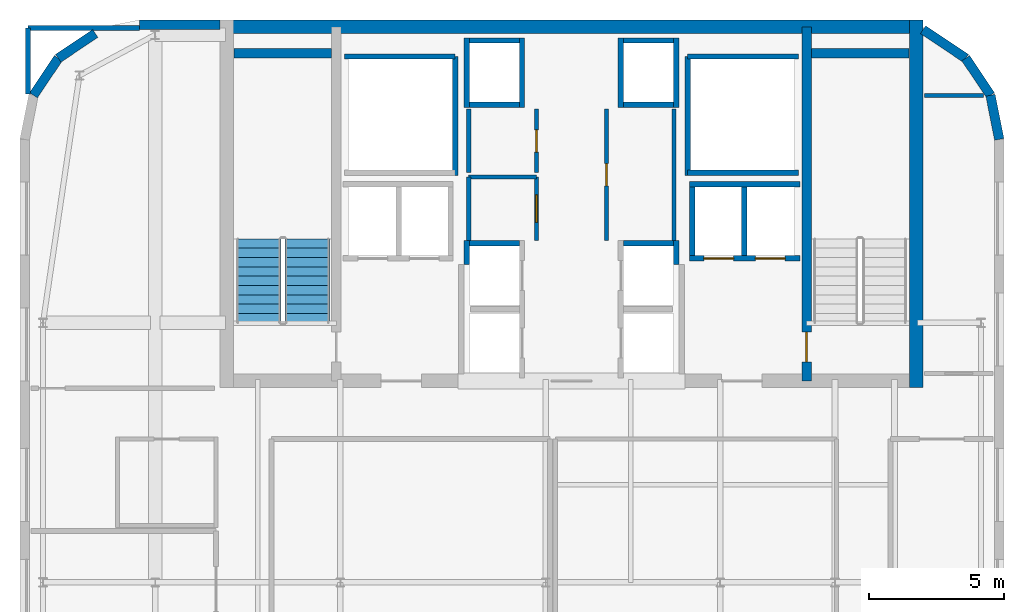
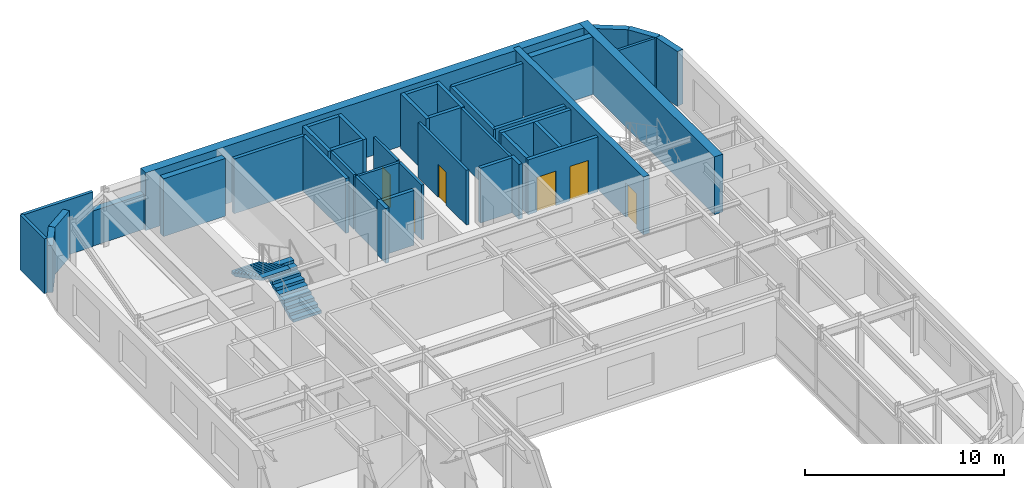
# One storey, part 16 of 18: 42 walls, 6 doors, 2 stair flights, 6 openings, 1 element without a shape of its own.
"""IFC4 building model written with IfcOpenShell, lengths in metres."""

from ifc_helpers import new_model, si_unit, direction, frame, frame_2d, origin, place, context, subcontext, project, spatial, polyline, rectangle, outline, extrude, source, transform, mapped, material, layer, layer_set, type_object, type_shapes, element, fill, aggregate, save


model = new_model("IFC4")

# Units and contexts
model_context = context("Model", 3, precision=1e-05, world=origin(), true_north=direction((0.0, 1.0)))
body_context = subcontext(model_context, "Body", "Model", "MODEL_VIEW")
ifc_project = project(units=[si_unit("LENGTHUNIT", "METRE"), si_unit("AREAUNIT", "SQUARE_METRE"), si_unit("VOLUMEUNIT", "CUBIC_METRE"), si_unit("PLANEANGLEUNIT", "RADIAN"), si_unit("MASSUNIT", "GRAM", prefix="KILO")], contexts=[model_context])

# Site, building, storey
site_placement = place(None, origin())
site = spatial("IfcSite", under=ifc_project, at=site_placement, CompositionType="ELEMENT")
building_placement = place(site_placement, origin())
building = spatial("IfcBuilding", under=site, at=building_placement, Name="Tolvann Quenvar Hotel", CompositionType="ELEMENT")
storey_placement = place(building_placement, frame((0.0, 0.0, 245.199951171875)))
storey = spatial("IfcBuildingStorey", under=building, at=storey_placement, Name="L65", CompositionType="ELEMENT", Elevation=245.199951171875)

# Walls
ifc_material_1 = material(Name="Concrete N50 (50 MPa)", Category="concrete")
ifc_layer_1 = layer(ifc_material_1, 0.5)
ifc_layer_set_1 = layer_set([ifc_layer_1], Name="Concrete N50 (50 MPa)")
wall_type_1 = type_object("IfcWallType", Name="WALL_CORE_500", PredefinedType="SHEAR", material=ifc_layer_set_1)
wall_1_placement = place(storey_placement, frame((10.0, 44.949951171875, 0.0), z_axis=(0.0, 0.0, 1.0), x_axis=(1.0, 0.0, 0.0)))
element("IfcWall", 1, at=wall_1_placement, inside=storey, type_object=wall_type_1, Name="Rear Core N Shear Wall (L65)", PredefinedType="SHEAR", context=body_context, shape_type="SweptSolid", body=[
    extrude(rectangle(XDim=26.0, YDim=0.5, at=frame_2d((13.0, 0.0))), origin(), (0.0, 0.0, 1.0), 3.550048828125),
])
wall_2_placement = place(storey_placement, frame((35.75, 31.60009765625, 0.0), z_axis=(0.0, 0.0, 1.0), x_axis=(0.0, 1.0, 0.0)))
element("IfcWall", 2, at=wall_2_placement, inside=storey, type_object=wall_type_1, Name="Rear Core E Shear Wall (L65)", PredefinedType="SHEAR", context=body_context, shape_type="SweptSolid", body=[
    extrude(rectangle(XDim=13.599853515625, YDim=0.5, at=frame_2d((6.7998046875, 0.0))), origin(), (0.0, 0.0, 1.0), 3.550048828125),
])

# Wall, opening, door
ifc_material_2 = material(Name="Concrete S65 (65 MPa)", Category="concrete")
ifc_layer_2 = layer(ifc_material_2, 0.35009765625)
ifc_layer_set_2 = layer_set([ifc_layer_2], Name="Concrete S65 (65 MPa)")
wall_type_2 = type_object("IfcWallType", Name="WALL_CORE_INT_350", PredefinedType="SHEAR", material=ifc_layer_set_2)
wall_3_placement = place(storey_placement, frame((31.699951171875, 31.85009765625, 0.0), z_axis=(0.0, 0.0, 1.0), x_axis=(0.0, 1.0, 0.0)))
wall_3 = element("IfcWall", 3, at=wall_3_placement, inside=storey, type_object=wall_type_2, Name="Core Internal Web Shear Wall WEB-E (L65)", PredefinedType="SHEAR", context=body_context, shape_type="SweptSolid", body=[
    extrude(rectangle(XDim=13.099853515625, YDim=0.35009765625, at=frame_2d((6.5498046875, 0.0))), origin(), (0.0, 0.0, 1.0), 3.550048828125),
])
opening_1_placement = place(wall_3_placement, frame((1.800048828125, 0.0, 0.0), z_axis=(0.0, 0.0, 1.0), x_axis=(-1.0, 0.0, 0.0)))
opening_1 = element("IfcOpeningElement", 4, at=opening_1_placement, cuts=wall_3, Name="Opening FD-120", PredefinedType="OPENING", context=body_context, shape_type="SweptSolid", body=[
    extrude(rectangle(XDim=1.10009765625, YDim=2.1201171875, at=frame_2d((0.550048828125, 1.06005859375))), frame((0.0, 0.18505859375, 0.0), z_axis=(0.0, -1.0, 0.0), x_axis=(1.0, 0.0, 0.0)), (0.0, 0.0, 1.0), 0.3701171875),
])
ifc_material_3 = material(Name="Pressed galvanised steel fire-rated door set", Category="steel")
door_type_1 = type_object("IfcDoorType", Name="DOOR_FIRE_STAIR_1100", OperationType="NOTDEFINED", PredefinedType="DOOR", material=ifc_material_3)
shared_shape_1 = source(origin(), body_context, "Body", "SweptSolid", [
    extrude(rectangle(XDim=1.10009765625, YDim=2.1201171875, at=frame_2d((0.550048828125, 1.06005859375))), frame((0.0, 0.02490234375, 0.0), z_axis=(0.0, -1.0, 0.0), x_axis=(1.0, 0.0, 0.0)), (0.0, 0.0, 1.0), 0.050048828125),
])
type_shapes(door_type_1, [shared_shape_1])
door_1_placement = place(opening_1_placement, origin())
door_1 = element("IfcDoor", 5, at=door_1_placement, inside=storey, type_object=door_type_1, Name="Exit Stair ST-C2 Fire Door (L65)", OperationType="SINGLE_SWING_RIGHT", OverallHeight=2.1201171875, OverallWidth=1.10009765625, PredefinedType="DOOR", context=body_context, shape_type="MappedRepresentation", body=[
    mapped(shared_shape_1, transform((0.0, 0.0, 0.0), x_axis=(1.0, 0.0, 0.0), y_axis=(0.0, 1.0, 0.0), z_axis=(0.0, 0.0, 1.0), scale=1.0)),
])
fill(opening_1, door_1)

# Walls
for number, where, z_axis, x_axis, name in (
    (6, (10.52001953125, 43.97509765625, 0.0), (0.0, 0.0, 1.0), (1.0, 0.0, 0.0), "Core Stair North Closing Shear Wall STC1-N (L65)"),
    (7, (31.8798828125, 43.97509765625, 0.0), (0.0, 0.0, 1.0), (1.0, 0.0, 0.0), "Core Stair North Closing Shear Wall STC2-N (L65)"),
):
    element("IfcWall", number, at=place(storey_placement, frame(where, z_axis=z_axis, x_axis=x_axis)), inside=storey, type_object=wall_type_2, Name=name, PredefinedType="SHEAR", context=body_context, shape_type="SweptSolid", body=[
        extrude(rectangle(XDim=3.60009765625, YDim=0.35009765625, at=frame_2d((1.800048828125, 0.0))), origin(), (0.0, 0.0, 1.0), 3.550048828125),
    ])
ifc_material_4 = material(Name="Kiln-fired red and buff architectural clay brickwork and terracotta masonry", Category="masonry")
ifc_layer_3 = layer(ifc_material_4, 0.35009765625)
ifc_layer_set_3 = layer_set([ifc_layer_3], Name="Kiln-fired red and buff architectural clay brickwork and terracotta masonry")
wall_type_3 = type_object("IfcWallType", Name="WALL_EXT_BRICK_350", PredefinedType="SOLIDWALL", material=ifc_layer_set_3)
wall_4_placement = place(storey_placement, frame((38.824951171875, 40.78271484375, 0.0), z_axis=(0.0, 0.0, 1.0), x_axis=(-0.195044345786, 0.980794424524, 0.0)))
element("IfcWall", 8, at=wall_4_placement, inside=storey, type_object=wall_type_3, Name="Exterior Chicago Brick Wall L65-E14", PredefinedType="SOLIDWALL", context=body_context, shape_type="SweptSolid", body=[
    extrude(rectangle(XDim=1.664794921875, YDim=0.35009765625, at=frame_2d((0.83251953125, 0.0))), origin(), (0.0, 0.0, 1.0), 3.3701171875),
])
wall_5_placement = place(storey_placement, frame((38.500244140625, 42.41552734375, 0.0), z_axis=(0.0, 0.0, 1.0), x_axis=(-0.555520825599, 0.831502623162, 0.0)))
element("IfcWall", 9, at=wall_5_placement, inside=storey, type_object=wall_type_3, Name="Exterior Chicago Brick Wall L65-E15", PredefinedType="SOLIDWALL", context=body_context, shape_type="SweptSolid", body=[
    extrude(rectangle(XDim=1.647216796875, YDim=0.35009765625, at=frame_2d((0.82373046875, 0.0))), origin(), (0.0, 0.0, 1.0), 3.3701171875),
])
wall_6_placement = place(storey_placement, frame((37.585205078125, 43.78515625, 0.0), z_axis=(0.0, 0.0, 1.0), x_axis=(-0.831516639465, 0.555499845448, 0.0)))
element("IfcWall", 10, at=wall_6_placement, inside=storey, type_object=wall_type_3, Name="Exterior Chicago Brick Wall L65-E16", PredefinedType="SOLIDWALL", context=body_context, shape_type="SweptSolid", body=[
    extrude(rectangle(XDim=1.901611328125, YDim=0.35009765625, at=frame_2d((0.95068359375, 0.0))), origin(), (0.0, 0.0, 1.0), 3.3701171875),
])
wall_7_placement = place(storey_placement, frame((9.99609375, 45.02490234375, 0.0), z_axis=(0.0, 0.0, 1.0), x_axis=(-1.0, 0.0, 0.0)))
element("IfcWall", 11, at=wall_7_placement, inside=storey, type_object=wall_type_3, Name="Exterior Chicago Brick Wall L65-E18NW", PredefinedType="SOLIDWALL", context=body_context, shape_type="SweptSolid", body=[
    extrude(rectangle(XDim=2.97900390625, YDim=0.35009765625, at=frame_2d((1.489501953125, 0.0))), origin(), (0.0, 0.0, 1.0), 2.16015625),
])
for number, where, z_axis, x_axis, name in (
    (12, (5.384521484375, 44.7001953125, 0.0), (0.0, 0.0, 1.0), (-0.831502623162, -0.555520825599, 0.0), "Exterior Chicago Brick Wall L65-E20"),
    (13, (4.014892578125, 43.78515625, 0.0), (0.0, 0.0, 1.0), (-0.555623290322, -0.831434158098, 0.0), "Exterior Chicago Brick Wall L65-E21"),
):
    element("IfcWall", number, at=place(storey_placement, frame(where, z_axis=z_axis, x_axis=x_axis)), inside=storey, type_object=wall_type_3, Name=name, PredefinedType="SOLIDWALL", context=body_context, shape_type="SweptSolid", body=[
        extrude(rectangle(XDim=1.647216796875, YDim=0.35009765625, at=frame_2d((0.82373046875, 0.0))), origin(), (0.0, 0.0, 1.0), 2.900146484375),
    ])
ifc_material_5 = material(Name="Acoustic twin-stud fire-rated gypsum plasterboard partition")
ifc_layer_4 = layer(ifc_material_5, 0.179931640625)
ifc_layer_set_4 = layer_set([ifc_layer_4], Name="Acoustic twin-stud fire-rated gypsum plasterboard partition")
wall_type_4 = type_object("IfcWallType", Name="WALL_PART_ACOUSTIC_180", PredefinedType="PARTITIONING", material=ifc_layer_set_4)
wall_8_placement = place(storey_placement, frame((2.89990234375, 44.89990234375, 0.0), z_axis=(0.0, 0.0, 1.0), x_axis=(1.0, 0.0, 0.0)))
element("IfcWall", 14, at=wall_8_placement, inside=storey, type_object=wall_type_4, Name="Interior Partition PT-SPC-L65-SAL-N", PredefinedType="PARTITIONING", context=body_context, shape_type="SweptSolid", body=[
    extrude(rectangle(XDim=4.1171875, YDim=0.179931640625, at=frame_2d((2.05859375, 0.0))), origin(), (0.0, 0.0, 1.0), 3.3701171875),
])
wall_9_placement = place(storey_placement, frame((2.89990234375, 42.455078125, 0.0), z_axis=(0.0, 0.0, 1.0), x_axis=(0.0, 1.0, 0.0)))
element("IfcWall", 15, at=wall_9_placement, inside=storey, type_object=wall_type_4, Name="Interior Partition PT-SPC-L65-SAL-W", PredefinedType="PARTITIONING", context=body_context, shape_type="SweptSolid", body=[
    extrude(rectangle(XDim=2.44482421875, YDim=0.179931640625, at=frame_2d((1.222412109375, 0.0))), origin(), (0.0, 0.0, 1.0), 3.3701171875),
])

# Wall, opening, door
ifc_layer_5 = layer(ifc_material_5, 0.14990234375)
ifc_layer_set_5 = layer_set([ifc_layer_5], Name="Acoustic twin-stud fire-rated gypsum plasterboard partition")
wall_type_5 = type_object("IfcWallType", Name="WALL_PART_SUITE_150", PredefinedType="PARTITIONING", material=ifc_layer_set_5)
wall_10_placement = place(storey_placement, frame((21.699951171875, 37.050048828125, 0.0), z_axis=(0.0, 0.0, 1.0), x_axis=(0.0, 1.0, 0.0)))
wall_10 = element("IfcWall", 16, at=wall_10_placement, inside=storey, type_object=wall_type_5, Name="Interior Partition PT-SPC-L65-RECPM-1-ENT", PredefinedType="PARTITIONING", context=body_context, shape_type="SweptSolid", body=[
    extrude(rectangle(XDim=2.349853515625, YDim=0.14990234375, at=frame_2d((1.1748046875, 0.0))), origin(), (0.0, 0.0, 1.0), 3.3701171875),
])
opening_2_placement = place(wall_10_placement, frame((0.6650390625, 0.0, 0.0)))
opening_2 = element("IfcOpeningElement", 17, at=opening_2_placement, cuts=wall_10, Name="Opening HD-01", PredefinedType="OPENING", context=body_context, shape_type="SweptSolid", body=[
    extrude(rectangle(XDim=1.02001953125, YDim=2.030029296875, at=frame_2d((0.510009765625, 1.01513671875))), frame((0.0, 0.0849609375, 0.0), z_axis=(0.0, -1.0, 0.0), x_axis=(1.0, 0.0, 0.0)), (0.0, 0.0, 1.0), 0.169921875),
])
door_type_2 = type_object("IfcDoorType", Name="DOOR_BOH_1020", OperationType="NOTDEFINED", PredefinedType="DOOR", material=ifc_material_3)
shared_shape_2 = source(origin(), body_context, "Body", "SweptSolid", [
    extrude(rectangle(XDim=1.02001953125, YDim=2.030029296875, at=frame_2d((0.510009765625, 1.01513671875))), frame((0.0, 0.02490234375, 0.0), z_axis=(0.0, -1.0, 0.0), x_axis=(1.0, 0.0, 0.0)), (0.0, 0.0, 1.0), 0.050048828125),
])
type_shapes(door_type_2, [shared_shape_2])
door_2_placement = place(opening_2_placement, origin())
door_2 = element("IfcDoor", 18, at=door_2_placement, inside=storey, type_object=door_type_2, Name="Interior Door DOOR-SPC-L65-RECPM-1", OperationType="SINGLE_SWING_LEFT", OverallHeight=2.030029296875, OverallWidth=1.02001953125, PredefinedType="DOOR", context=body_context, shape_type="MappedRepresentation", body=[
    mapped(shared_shape_2, transform((0.0, 0.0, 0.0), x_axis=(1.0, 0.0, 0.0), y_axis=(0.0, 1.0, 0.0), z_axis=(0.0, 0.0, 1.0), scale=1.0)),
])
fill(opening_2, door_2)

# Walls
wall_11_placement = place(storey_placement, frame((19.199951171875, 39.39990234375, 0.0), z_axis=(0.0, 0.0, 1.0), x_axis=(1.0, 0.0, 0.0)))
element("IfcWall", 19, at=wall_11_placement, inside=storey, type_object=wall_type_5, Name="Interior Partition PT-SPC-L65-RECPM-1-N", PredefinedType="PARTITIONING", context=body_context, shape_type="SweptSolid", body=[
    extrude(rectangle(XDim=2.5, YDim=0.14990234375, at=frame_2d((1.25, 0.0))), origin(), (0.0, 0.0, 1.0), 3.3701171875),
])
wall_12_placement = place(storey_placement, frame((19.199951171875, 37.0400390625, 0.0), z_axis=(0.0, 0.0, 1.0), x_axis=(0.0, 1.0, 0.0)))
element("IfcWall", 20, at=wall_12_placement, inside=storey, type_object=wall_type_5, Name="Interior Partition PT-SPC-L65-RECPM-1-W", PredefinedType="PARTITIONING", context=body_context, shape_type="SweptSolid", body=[
    extrude(rectangle(XDim=2.35986328125, YDim=0.14990234375, at=frame_2d((1.179931640625, 0.0))), origin(), (0.0, 0.0, 1.0), 3.3701171875),
])

# Wall, opening, door
wall_13_placement = place(storey_placement, frame((21.699951171875, 39.550048828125, 0.0), z_axis=(0.0, 0.0, 1.0), x_axis=(0.0, 1.0, 0.0)))
wall_13 = element("IfcWall", 21, at=wall_13_placement, inside=storey, type_object=wall_type_5, Name="Interior Partition PT-SPC-L65-RECPM-2-ENT", PredefinedType="PARTITIONING", context=body_context, shape_type="SweptSolid", body=[
    extrude(rectangle(XDim=2.349853515625, YDim=0.14990234375, at=frame_2d((1.1748046875, 0.0))), origin(), (0.0, 0.0, 1.0), 3.3701171875),
])
opening_3_placement = place(wall_13_placement, frame((0.764892578125, 0.0, 0.0)))
opening_3 = element("IfcOpeningElement", 22, at=opening_3_placement, cuts=wall_13, Name="Opening HD-02", PredefinedType="OPENING", context=body_context, shape_type="SweptSolid", body=[
    extrude(rectangle(XDim=0.820068359375, YDim=2.010009765625, at=frame_2d((0.41015625, 1.0048828125))), frame((0.0, 0.0849609375, 0.0), z_axis=(0.0, -1.0, 0.0), x_axis=(1.0, 0.0, 0.0)), (0.0, 0.0, 1.0), 0.169921875),
])
door_type_3 = type_object("IfcDoorType", Name="DOOR_STORE_820", OperationType="NOTDEFINED", PredefinedType="DOOR", material=ifc_material_3)
shared_shape_3 = source(origin(), body_context, "Body", "SweptSolid", [
    extrude(rectangle(XDim=0.820068359375, YDim=2.010009765625, at=frame_2d((0.41015625, 1.0048828125))), frame((0.0, 0.02490234375, 0.0), z_axis=(0.0, -1.0, 0.0), x_axis=(1.0, 0.0, 0.0)), (0.0, 0.0, 1.0), 0.050048828125),
])
type_shapes(door_type_3, [shared_shape_3])
door_3_placement = place(opening_3_placement, origin())
door_3 = element("IfcDoor", 23, at=door_3_placement, inside=storey, type_object=door_type_3, Name="Interior Door DOOR-SPC-L65-RECPM-2", OperationType="SINGLE_SWING_RIGHT", OverallHeight=2.010009765625, OverallWidth=0.820068359375, PredefinedType="DOOR", context=body_context, shape_type="MappedRepresentation", body=[
    mapped(shared_shape_3, transform((0.0, 0.0, 0.0), x_axis=(1.0, 0.0, 0.0), y_axis=(0.0, 1.0, 0.0), z_axis=(0.0, 0.0, 1.0), scale=1.0)),
])
fill(opening_3, door_3)

# Wall
wall_14_placement = place(storey_placement, frame((19.199951171875, 39.550048828125, 0.0), z_axis=(0.0, 0.0, 1.0), x_axis=(0.0, 1.0, 0.0)))
element("IfcWall", 24, at=wall_14_placement, inside=storey, type_object=wall_type_5, Name="Interior Partition PT-SPC-L65-RECPM-2-W", PredefinedType="PARTITIONING", context=body_context, shape_type="SweptSolid", body=[
    extrude(rectangle(XDim=2.349853515625, YDim=0.14990234375, at=frame_2d((1.1748046875, 0.0))), origin(), (0.0, 0.0, 1.0), 3.3701171875),
])

# Wall, opening, door
wall_15_placement = place(storey_placement, frame((24.300048828125, 37.050048828125, 0.0), z_axis=(0.0, 0.0, 1.0), x_axis=(0.0, 1.0, 0.0)))
wall_15 = element("IfcWall", 25, at=wall_15_placement, inside=storey, type_object=wall_type_5, Name="Interior Partition PT-SPC-L65-RECPM-3-ENT", PredefinedType="PARTITIONING", context=body_context, shape_type="SweptSolid", body=[
    extrude(rectangle(XDim=4.849853515625, YDim=0.14990234375, at=frame_2d((2.4248046875, 0.0))), origin(), (0.0, 0.0, 1.0), 3.3701171875),
])
opening_4_placement = place(wall_15_placement, frame((2.014892578125, 0.0, 0.0)))
opening_4 = element("IfcOpeningElement", 26, at=opening_4_placement, cuts=wall_15, Name="Opening HD-02", PredefinedType="OPENING", context=body_context, shape_type="SweptSolid", body=[
    extrude(rectangle(XDim=0.820068359375, YDim=2.010009765625, at=frame_2d((0.41015625, 1.0048828125))), frame((0.0, 0.0849609375, 0.0), z_axis=(0.0, -1.0, 0.0), x_axis=(1.0, 0.0, 0.0)), (0.0, 0.0, 1.0), 0.169921875),
])
door_4_placement = place(opening_4_placement, origin())
door_4 = element("IfcDoor", 27, at=door_4_placement, inside=storey, type_object=door_type_3, Name="Interior Door DOOR-SPC-L65-RECPM-3", OperationType="SINGLE_SWING_LEFT", OverallHeight=2.010009765625, OverallWidth=0.820068359375, PredefinedType="DOOR", context=body_context, shape_type="MappedRepresentation", body=[
    mapped(shared_shape_3, transform((0.0, 0.0, 0.0), x_axis=(1.0, 0.0, 0.0), y_axis=(0.0, 1.0, 0.0), z_axis=(0.0, 0.0, 1.0), scale=1.0)),
])
fill(opening_4, door_4)

# Walls
wall_16_placement = place(storey_placement, frame((26.800048828125, 37.0400390625, 0.0), z_axis=(0.0, 0.0, 1.0), x_axis=(0.0, 1.0, 0.0)))
element("IfcWall", 28, at=wall_16_placement, inside=storey, type_object=wall_type_5, Name="Interior Partition PT-SPC-L65-RECPM-3-E", PredefinedType="PARTITIONING", context=body_context, shape_type="SweptSolid", body=[
    extrude(rectangle(XDim=4.85986328125, YDim=0.14990234375, at=frame_2d((2.429931640625, 0.0))), origin(), (0.0, 0.0, 1.0), 3.3701171875),
])
wall_17_placement = place(storey_placement, frame((36.054931640625, 42.39990234375, 0.0), z_axis=(0.0, 0.0, 1.0), x_axis=(1.0, 0.0, 0.0)))
element("IfcWall", 29, at=wall_17_placement, inside=storey, type_object=wall_type_5, Name="Interior Partition PT-SPC-L65-RECPL-P-N", PredefinedType="PARTITIONING", context=body_context, shape_type="SweptSolid", body=[
    extrude(rectangle(XDim=2.178955078125, YDim=0.14990234375, at=frame_2d((1.08935546875, 0.0))), origin(), (0.0, 0.0, 1.0), 3.3701171875),
])
ifc_material_6 = material(Name="Concrete N40 (40 MPa)", Category="concrete")
ifc_layer_6 = layer(ifc_material_6, 0.199951171875)
ifc_layer_set_6 = layer_set([ifc_layer_6], Name="Concrete N40 (40 MPa)")
wall_type_6 = type_object("IfcWallType", Name="WALL_SHAFT_200", PredefinedType="SOLIDWALL", material=ifc_layer_set_6)
wall_18_placement = place(storey_placement, frame((18.699951171875, 39.449951171875, 0.0), z_axis=(0.0, 0.0, 1.0), x_axis=(0.0, 1.0, 0.0)))
element("IfcWall", 30, at=wall_18_placement, inside=storey, type_object=wall_type_6, Name="Service Riser W Shaft Wall IN (L65)", PredefinedType="SOLIDWALL", context=body_context, shape_type="SweptSolid", body=[
    extrude(rectangle(XDim=4.400146484375, YDim=0.199951171875, at=frame_2d((2.2001953125, 0.0))), origin(), (0.0, 0.0, 1.0), 3.3701171875),
])
wall_19_placement = place(storey_placement, frame((14.60009765625, 43.85009765625, 0.0), z_axis=(0.0, 0.0, 1.0), x_axis=(1.0, 0.0, 0.0)))
element("IfcWall", 31, at=wall_19_placement, inside=storey, type_object=wall_type_6, Name="Service Riser W Shaft Wall N (L65)", PredefinedType="SOLIDWALL", context=body_context, shape_type="SweptSolid", body=[
    extrude(rectangle(XDim=4.099853515625, YDim=0.199951171875, at=frame_2d((2.0498046875, 0.0))), origin(), (0.0, 0.0, 1.0), 3.3701171875),
])
wall_20_placement = place(storey_placement, frame((27.300048828125, 39.449951171875, 0.0), z_axis=(0.0, 0.0, 1.0), x_axis=(0.0, 1.0, 0.0)))
element("IfcWall", 32, at=wall_20_placement, inside=storey, type_object=wall_type_6, Name="Service Riser E Shaft Wall IN (L65)", PredefinedType="SOLIDWALL", context=body_context, shape_type="SweptSolid", body=[
    extrude(rectangle(XDim=4.400146484375, YDim=0.199951171875, at=frame_2d((2.2001953125, 0.0))), origin(), (0.0, 0.0, 1.0), 3.3701171875),
])
for number, where, z_axis, x_axis, name in (
    (33, (27.300048828125, 39.550048828125, 0.0), (0.0, 0.0, 1.0), (1.0, 0.0, 0.0), "Service Riser E Shaft Wall S (L65)"),
    (34, (27.300048828125, 43.85009765625, 0.0), (0.0, 0.0, 1.0), (1.0, 0.0, 0.0), "Service Riser E Shaft Wall N (L65)"),
):
    element("IfcWall", number, at=place(storey_placement, frame(where, z_axis=z_axis, x_axis=x_axis)), inside=storey, type_object=wall_type_6, Name=name, PredefinedType="SOLIDWALL", context=body_context, shape_type="SweptSolid", body=[
        extrude(rectangle(XDim=4.099853515625, YDim=0.199951171875, at=frame_2d((2.0498046875, 0.0))), origin(), (0.0, 0.0, 1.0), 3.3701171875),
    ])
wall_21_placement = place(storey_placement, frame((19.1298828125, 36.159912109375, 0.0), z_axis=(0.0, 0.0, 1.0), x_axis=(0.0, 1.0, 0.0)))
element("IfcWall", 35, at=wall_21_placement, inside=storey, type_object=wall_type_6, Name="Lift Bank E21.1C1 Hoistway Rear Wall (L65)", PredefinedType="SOLIDWALL", context=body_context, shape_type="SweptSolid", body=[
    extrude(rectangle(XDim=0.880126953125, YDim=0.199951171875, at=frame_2d((0.43994140625, 0.0))), origin(), (0.0, 0.0, 1.0), 3.3701171875),
])
wall_22_placement = place(storey_placement, frame((19.22998046875, 36.93994140625, 0.0), z_axis=(0.0, 0.0, 1.0), x_axis=(1.0, 0.0, 0.0)))
element("IfcWall", 36, at=wall_22_placement, inside=storey, type_object=wall_type_6, Name="Lift Bank E21.1C1 Hoistway Cheek Wall 2 (L65)", PredefinedType="SOLIDWALL", context=body_context, shape_type="SweptSolid", body=[
    extrude(rectangle(XDim=1.840087890625, YDim=0.199951171875, at=frame_2d((0.919921875, 0.0))), origin(), (0.0, 0.0, 1.0), 3.3701171875),
])
for number, where, z_axis, x_axis, name in (
    (37, (21.169921875, 41.9599609375, 0.0), (0.0, 0.0, 1.0), (0.0, 1.0, 0.0), "Lift Bank E21.1C2 Hoistway Front Wall (L65)"),
    (38, (19.1298828125, 41.9599609375, 0.0), (0.0, 0.0, 1.0), (0.0, 1.0, 0.0), "Lift Bank E21.1C2 Hoistway Rear Wall (L65)"),
):
    element("IfcWall", number, at=place(storey_placement, frame(where, z_axis=z_axis, x_axis=x_axis)), inside=storey, type_object=wall_type_6, Name=name, PredefinedType="SOLIDWALL", context=body_context, shape_type="SweptSolid", body=[
        extrude(rectangle(XDim=2.580078125, YDim=0.199951171875, at=frame_2d((1.2900390625, 0.0))), origin(), (0.0, 0.0, 1.0), 3.3701171875),
    ])
for number, where, z_axis, x_axis, name in (
    (39, (19.22998046875, 42.06005859375, 0.0), (0.0, 0.0, 1.0), (1.0, 0.0, 0.0), "Lift Bank E21.1C2 Hoistway Cheek Wall 1 (L65)"),
    (40, (19.22998046875, 44.43994140625, 0.0), (0.0, 0.0, 1.0), (1.0, 0.0, 0.0), "Lift Bank E21.1C2 Hoistway Cheek Wall 2 (L65)"),
):
    element("IfcWall", number, at=place(storey_placement, frame(where, z_axis=z_axis, x_axis=x_axis)), inside=storey, type_object=wall_type_6, Name=name, PredefinedType="SOLIDWALL", context=body_context, shape_type="SweptSolid", body=[
        extrude(rectangle(XDim=1.840087890625, YDim=0.199951171875, at=frame_2d((0.919921875, 0.0))), origin(), (0.0, 0.0, 1.0), 3.3701171875),
    ])

# Wall, openings, doors
wall_23_placement = place(storey_placement, frame((27.375, 36.3798828125, 0.0), z_axis=(0.0, 0.0, 1.0), x_axis=(1.0, 0.0, 0.0)))
wall_23 = element("IfcWall", 41, at=wall_23_placement, inside=storey, type_object=wall_type_6, Name="Lift Bank SEC1 Hoistway Front Wall (L65)", PredefinedType="SOLIDWALL", context=body_context, shape_type="SweptSolid", body=[
    extrude(rectangle(XDim=4.074951171875, YDim=0.199951171875, at=frame_2d((2.03759765625, 0.0))), origin(), (0.0, 0.0, 1.0), 3.3701171875),
])
opening_5_placement = place(wall_23_placement, frame((0.52490234375, 0.0, 0.0)))
opening_5 = element("IfcOpeningElement", 42, at=opening_5_placement, cuts=wall_23, Name="Opening LD-01", PredefinedType="OPENING", context=body_context, shape_type="SweptSolid", body=[
    extrude(rectangle(XDim=1.10009765625, YDim=2.1201171875, at=frame_2d((0.550048828125, 1.06005859375))), frame((0.0, 0.10986328125, 0.0), z_axis=(0.0, -1.0, 0.0), x_axis=(1.0, 0.0, 0.0)), (0.0, 0.0, 1.0), 0.219970703125),
])
opening_6_placement = place(wall_23_placement, frame((2.425048828125, 0.0, 0.0)))
opening_6 = element("IfcOpeningElement", 43, at=opening_6_placement, cuts=wall_23, Name="Opening LD-01", PredefinedType="OPENING", context=body_context, shape_type="SweptSolid", body=[
    extrude(rectangle(XDim=1.10009765625, YDim=2.1201171875, at=frame_2d((0.550048828125, 1.06005859375))), frame((0.0, 0.10986328125, 0.0), z_axis=(0.0, -1.0, 0.0), x_axis=(1.0, 0.0, 0.0)), (0.0, 0.0, 1.0), 0.219970703125),
])
ifc_material_7 = material(Name="Brushed 316 stainless steel automatic sliding lift landing door", Category="steel")
door_type_4 = type_object("IfcDoorType", Name="DOOR_LIFT_SLIDE_1100", OperationType="NOTDEFINED", PredefinedType="DOOR", material=ifc_material_7)
shared_shape_4 = source(origin(), body_context, "Body", "SweptSolid", [
    extrude(rectangle(XDim=1.10009765625, YDim=2.1201171875, at=frame_2d((0.550048828125, 1.06005859375))), frame((0.0, 0.02490234375, 0.0), z_axis=(0.0, -1.0, 0.0), x_axis=(1.0, 0.0, 0.0)), (0.0, 0.0, 1.0), 0.050048828125),
])
type_shapes(door_type_4, [shared_shape_4])
door_5_placement = place(opening_5_placement, origin())
door_5 = element("IfcDoor", 44, at=door_5_placement, inside=storey, type_object=door_type_4, Name="Lift SV-2 Sliding Landing Door (L65)", OperationType="SLIDING_TO_LEFT", OverallHeight=2.1201171875, OverallWidth=1.10009765625, PredefinedType="DOOR", context=body_context, shape_type="MappedRepresentation", body=[
    mapped(shared_shape_4, transform((0.0, 0.0, 0.0), x_axis=(1.0, 0.0, 0.0), y_axis=(0.0, 1.0, 0.0), z_axis=(0.0, 0.0, 1.0), scale=1.0)),
])
fill(opening_5, door_5)
door_6_placement = place(opening_6_placement, origin())
door_6 = element("IfcDoor", 45, at=door_6_placement, inside=storey, type_object=door_type_4, Name="Lift FF-2 Sliding Landing Door (L65)", OperationType="SLIDING_TO_RIGHT", OverallHeight=2.1201171875, OverallWidth=1.10009765625, PredefinedType="DOOR", context=body_context, shape_type="MappedRepresentation", body=[
    mapped(shared_shape_4, transform((0.0, 0.0, 0.0), x_axis=(1.0, 0.0, 0.0), y_axis=(0.0, 1.0, 0.0), z_axis=(0.0, 0.0, 1.0), scale=1.0)),
])
fill(opening_6, door_6)

# Walls
wall_24_placement = place(storey_placement, frame((27.375, 39.1201171875, 0.0), z_axis=(0.0, 0.0, 1.0), x_axis=(1.0, 0.0, 0.0)))
element("IfcWall", 46, at=wall_24_placement, inside=storey, type_object=wall_type_6, Name="Lift Bank SEC1 Hoistway Rear Wall (L65)", PredefinedType="SOLIDWALL", context=body_context, shape_type="SweptSolid", body=[
    extrude(rectangle(XDim=4.074951171875, YDim=0.199951171875, at=frame_2d((2.03759765625, 0.0))), origin(), (0.0, 0.0, 1.0), 3.3701171875),
])
for number, where, z_axis, x_axis, name in (
    (47, (27.47509765625, 36.47998046875, 0.0), (0.0, 0.0, 1.0), (0.0, 1.0, 0.0), "Lift Bank SEC1 Hoistway Cheek Wall 1 (L65)"),
    (48, (29.387451171875, 36.47998046875, 0.0), (0.0, 0.0, 1.0), (0.0, 1.0, 0.0), "Lift Bank SEC1 Divider Wall 1 (L65)"),
):
    element("IfcWall", number, at=place(storey_placement, frame(where, z_axis=z_axis, x_axis=x_axis)), inside=storey, type_object=wall_type_6, Name=name, PredefinedType="SOLIDWALL", context=body_context, shape_type="SweptSolid", body=[
        extrude(rectangle(XDim=2.5400390625, YDim=0.199951171875, at=frame_2d((1.27001953125, 0.0))), origin(), (0.0, 0.0, 1.0), 3.3701171875),
    ])
wall_25_placement = place(storey_placement, frame((26.8701171875, 36.159912109375, 0.0), z_axis=(0.0, 0.0, 1.0), x_axis=(0.0, 1.0, 0.0)))
element("IfcWall", 49, at=wall_25_placement, inside=storey, type_object=wall_type_6, Name="Lift Bank W24.9C1 Hoistway Rear Wall (L65)", PredefinedType="SOLIDWALL", context=body_context, shape_type="SweptSolid", body=[
    extrude(rectangle(XDim=0.880126953125, YDim=0.199951171875, at=frame_2d((0.43994140625, 0.0))), origin(), (0.0, 0.0, 1.0), 3.3701171875),
])
wall_26_placement = place(storey_placement, frame((24.929931640625, 36.93994140625, 0.0), z_axis=(0.0, 0.0, 1.0), x_axis=(1.0, 0.0, 0.0)))
element("IfcWall", 50, at=wall_26_placement, inside=storey, type_object=wall_type_6, Name="Lift Bank W24.9C1 Hoistway Cheek Wall 2 (L65)", PredefinedType="SOLIDWALL", context=body_context, shape_type="SweptSolid", body=[
    extrude(rectangle(XDim=1.840087890625, YDim=0.199951171875, at=frame_2d((0.919921875, 0.0))), origin(), (0.0, 0.0, 1.0), 3.3701171875),
])
for number, where, z_axis, x_axis, name in (
    (51, (24.830078125, 41.9599609375, 0.0), (0.0, 0.0, 1.0), (0.0, 1.0, 0.0), "Lift Bank W24.9C2 Hoistway Front Wall (L65)"),
    (52, (26.8701171875, 41.9599609375, 0.0), (0.0, 0.0, 1.0), (0.0, 1.0, 0.0), "Lift Bank W24.9C2 Hoistway Rear Wall (L65)"),
):
    element("IfcWall", number, at=place(storey_placement, frame(where, z_axis=z_axis, x_axis=x_axis)), inside=storey, type_object=wall_type_6, Name=name, PredefinedType="SOLIDWALL", context=body_context, shape_type="SweptSolid", body=[
        extrude(rectangle(XDim=2.580078125, YDim=0.199951171875, at=frame_2d((1.2900390625, 0.0))), origin(), (0.0, 0.0, 1.0), 3.3701171875),
    ])
for number, where, z_axis, x_axis, name in (
    (53, (24.929931640625, 42.06005859375, 0.0), (0.0, 0.0, 1.0), (1.0, 0.0, 0.0), "Lift Bank W24.9C2 Hoistway Cheek Wall 1 (L65)"),
    (54, (24.929931640625, 44.43994140625, 0.0), (0.0, 0.0, 1.0), (1.0, 0.0, 0.0), "Lift Bank W24.9C2 Hoistway Cheek Wall 2 (L65)"),
):
    element("IfcWall", number, at=place(storey_placement, frame(where, z_axis=z_axis, x_axis=x_axis)), inside=storey, type_object=wall_type_6, Name=name, PredefinedType="SOLIDWALL", context=body_context, shape_type="SweptSolid", body=[
        extrude(rectangle(XDim=1.840087890625, YDim=0.199951171875, at=frame_2d((0.919921875, 0.0))), origin(), (0.0, 0.0, 1.0), 3.3701171875),
    ])

# Stair, stair flights
stair_type = type_object("IfcStairType", Name="STAIR", PredefinedType="HALF_TURN_STAIR", material=ifc_material_6)
stair_placement = place(storey_placement, origin())
stair = element("IfcStair", 55, at=stair_placement, inside=storey, type_object=stair_type, Name="L65 ST-C1", PredefinedType="HALF_TURN_STAIR")
stair_flight_type = type_object("IfcStairFlightType", Name="STAIR_FLIGHT", PredefinedType="STRAIGHT", material=ifc_material_6)
stair_flight_1_placement = place(storey_placement, frame((13.22509765625, 34.0, 0.0), z_axis=(0.0, 0.0, 1.0), x_axis=(0.0, 1.0, 0.0)))
stair_flight_1 = element("IfcStairFlight", 56, at=stair_flight_1_placement, type_object=stair_flight_type, Name="ST-C1 flight 1", NumberOfRisers=10, NumberOfTreads=9, PredefinedType="STRAIGHT", RiserHeight=0.1775, TreadLength=0.345, context=body_context, shape_type="SweptSolid", body=[
    extrude(outline(polyline([(0.0, 0.0), (0.0, 0.177490234375), (0.344970703125, 0.177490234375), (0.344970703125, 0.35498046875), (0.68994140625, 0.35498046875), (0.68994140625, 0.532470703125), (1.034912109375, 0.532470703125), (1.034912109375, 0.7099609375), (1.3798828125, 0.7099609375), (1.3798828125, 0.887451171875), (1.72509765625, 0.887451171875), (1.72509765625, 1.06494140625), (2.070068359375, 1.06494140625), (2.070068359375, 1.242431640625), (2.4150390625, 1.242431640625), (2.4150390625, 1.419921875), (2.760009765625, 1.419921875), (2.760009765625, 1.597412109375), (3.10498046875, 1.597412109375), (3.10498046875, 1.77490234375), (3.10498046875, 1.428955078125), (0.32763671875, 0.0), (0.0, 0.0)])), frame((0.0, 0.824951171875, 0.0), z_axis=(0.0, -1.0, 0.0), x_axis=(1.0, 0.0, 0.0)), (0.0, 0.0, 1.0), 1.64990234375),
])
stair_flight_2_placement = place(storey_placement, frame((11.425048828125, 37.10498046875, 1.775146484375), z_axis=(0.0, 0.0, 1.0), x_axis=(0.0, -1.0, 0.0)))
stair_flight_2 = element("IfcStairFlight", 57, at=stair_flight_2_placement, type_object=stair_flight_type, Name="ST-C1 flight 2", NumberOfRisers=10, NumberOfTreads=9, PredefinedType="STRAIGHT", RiserHeight=0.1775, TreadLength=0.345, context=body_context, shape_type="SweptSolid", body=[
    extrude(outline(polyline([(0.0, 0.0), (0.0, 0.177490234375), (0.344970703125, 0.177490234375), (0.344970703125, 0.35498046875), (0.68994140625, 0.35498046875), (0.68994140625, 0.532470703125), (1.034912109375, 0.532470703125), (1.034912109375, 0.7099609375), (1.3798828125, 0.7099609375), (1.3798828125, 0.887451171875), (1.72509765625, 0.887451171875), (1.72509765625, 1.06494140625), (2.070068359375, 1.06494140625), (2.070068359375, 1.242431640625), (2.4150390625, 1.242431640625), (2.4150390625, 1.419921875), (2.760009765625, 1.419921875), (2.760009765625, 1.597412109375), (3.10498046875, 1.597412109375), (3.10498046875, 1.77490234375), (3.10498046875, 1.428955078125), (0.32763671875, 0.0), (0.0, 0.0)])), frame((0.0, 0.824951171875, 0.0), z_axis=(0.0, -1.0, 0.0), x_axis=(1.0, 0.0, 0.0)), (0.0, 0.0, 1.0), 1.64990234375),
])
aggregate(stair, [stair_flight_1, stair_flight_2])

save(model, "model.ifc")
